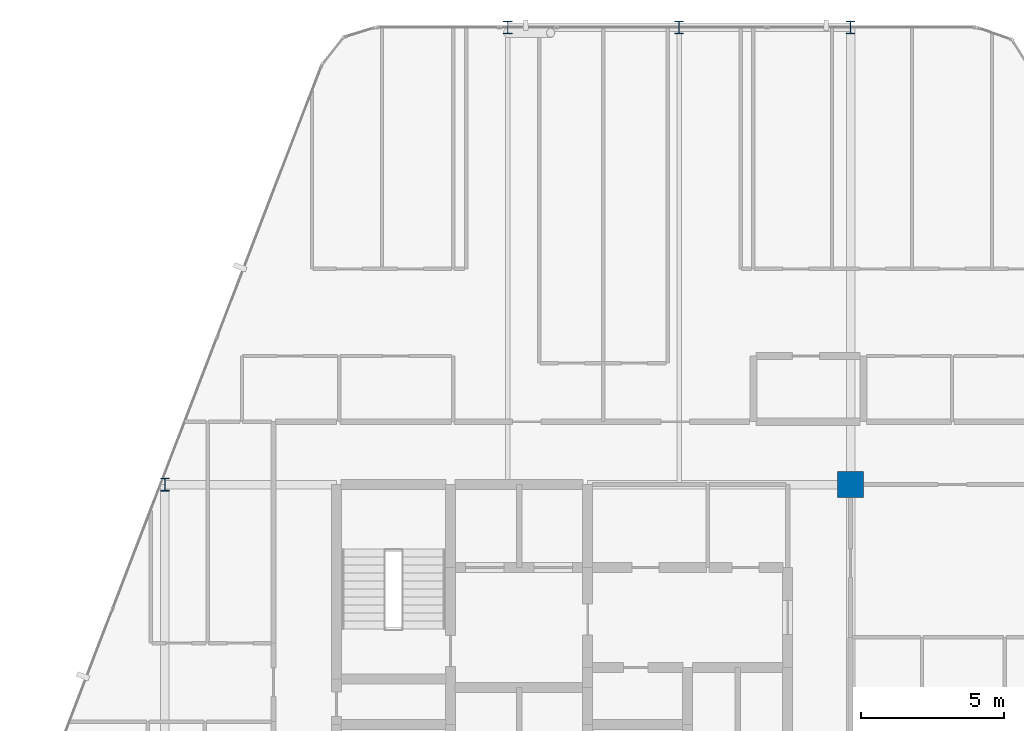
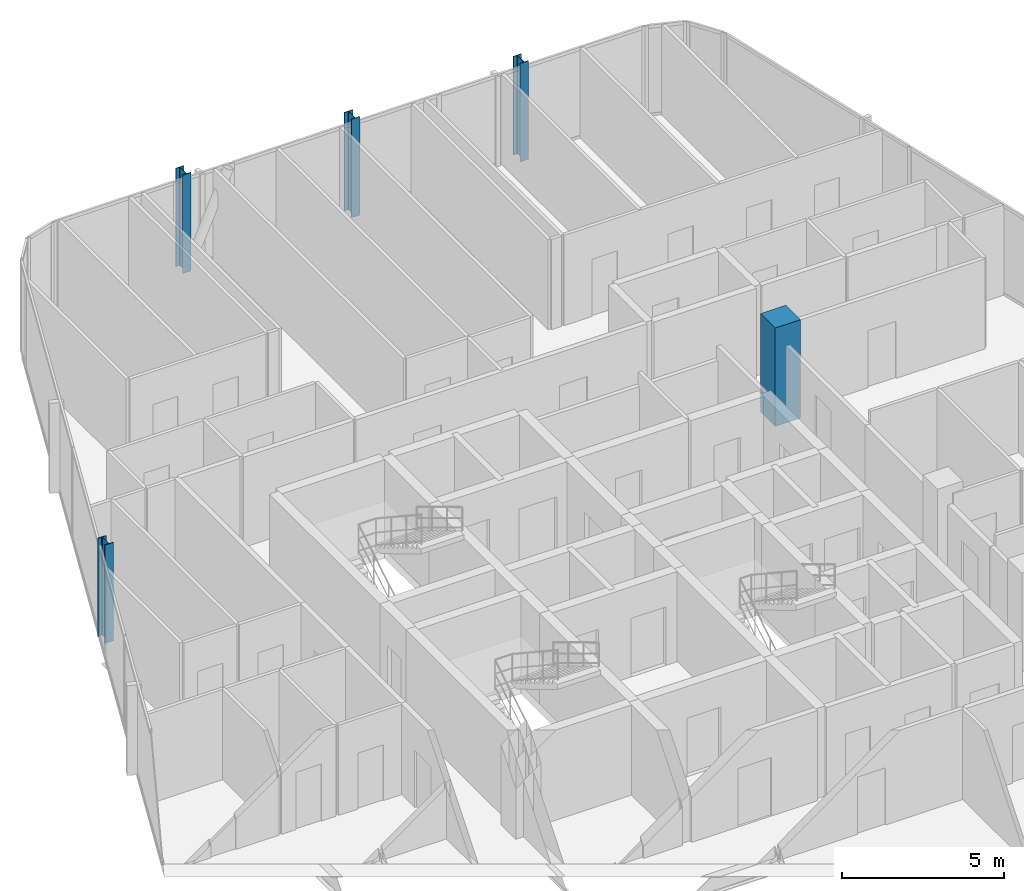
# One storey, part 3 of 29: 5 columns.
"""IFC4 building model written with IfcOpenShell, lengths in metres."""

import ifcopenshell
import ifcopenshell.guid

model = None  # the IFC model being written
_history = None  # IfcOwnerHistory: only IFC2X3 demands one
_inside = {}  # id of a spatial element -> (the spatial element, [elements in it])
_under = {}  # id of a project, library or spatial element -> (it, [spatial elements below it])
_declared = {}  # id of a project -> (the project, [libraries it declares])
_typed = {}  # id of a type object -> (the type object, [elements of that type])
_made_of = {}  # id of a material, layer set ... -> (it, [elements and type objects made of it])


def new_model(schema):
    """Start an empty IFC model of exactly this schema.

    Asked for "IFC4X3", IfcOpenShell would pick the latest addendum, in which some entities
    have other attributes; the version numbers below select the first issue.
    IFC2X3 requires an IfcOwnerHistory on every rooted entity: one is made here for all.
    """
    global model, _history
    if schema == "IFC4X3":
        model = ifcopenshell.file(schema_version=(4, 3, 0, 0))
    else:
        model = ifcopenshell.file(schema=schema)
    _inside.clear()
    _under.clear()
    _declared.clear()
    _typed.clear()
    _made_of.clear()
    _history = None
    if model.schema == "IFC2X3":
        org = make("IfcOrganization", Name="unknown")
        user = make(
            "IfcPersonAndOrganization",
            ThePerson=make("IfcPerson", FamilyName="unknown"),
            TheOrganization=org,
        )
        app = make(
            "IfcApplication",
            ApplicationDeveloper=org,
            Version="unknown",
            ApplicationFullName="unknown",
            ApplicationIdentifier="unknown",
        )
        _history = make(
            "IfcOwnerHistory",
            OwningUser=user,
            OwningApplication=app,
            ChangeAction="ADDED",
            CreationDate=0,
        )
    return model


def make(cls, **values):
    """One entity of the class cls with the attributes given. An attribute that is None is left unset."""
    return model.create_entity(
        cls, **{name: value for name, value in values.items() if value is not None}
    )


def rooted(cls, **values):
    """An entity with a GlobalId (a new one), such as an element, a storey or a relation."""
    return make(cls, GlobalId=ifcopenshell.guid.new(), OwnerHistory=_history, **values)


def si_unit(unit_type, name, prefix=None):
    """IfcSIUnit, for example si_unit("LENGTHUNIT", "METRE", prefix="MILLI")."""
    return make("IfcSIUnit", UnitType=unit_type, Prefix=prefix, Name=name)


def assignment(units):
    """IfcUnitAssignment: the units of a project."""
    return None if units is None else make("IfcUnitAssignment", Units=units)


def point(xyz):
    """IfcCartesianPoint."""
    return None if xyz is None else make("IfcCartesianPoint", Coordinates=xyz)


def direction(xyz):
    """IfcDirection."""
    return None if xyz is None else make("IfcDirection", DirectionRatios=xyz)


def frame(location, z_axis=None, x_axis=None):
    """IfcAxis2Placement3D, a coordinate frame: its origin and axes. An axis left out is left unset."""
    return make(
        "IfcAxis2Placement3D",
        Location=point(location),
        Axis=direction(z_axis),
        RefDirection=direction(x_axis),
    )


def frame_2d(location, x_axis=None):
    """IfcAxis2Placement2D, a coordinate frame in the plane: its origin and x axis."""
    return make(
        "IfcAxis2Placement2D", Location=point(location), RefDirection=direction(x_axis)
    )


def origin():
    """The frame at (0, 0, 0) with its axes left unset."""
    return frame((0.0, 0.0, 0.0))


def origin_2d():
    """The frame at (0, 0) in the plane with its x axis left unset."""
    return frame_2d((0.0, 0.0))


def place(relative_to, where):
    """IfcLocalPlacement: puts the frame where relative to a parent placement (None: the world)."""
    return make(
        "IfcLocalPlacement", PlacementRelTo=relative_to, RelativePlacement=where
    )


def context(
    kind, dimensions, precision=None, world=None, true_north=None, identifier=None
):
    """IfcGeometricRepresentationContext, for example the 3D "Model" context."""
    return make(
        "IfcGeometricRepresentationContext",
        ContextIdentifier=identifier,
        ContextType=kind,
        CoordinateSpaceDimension=dimensions,
        Precision=precision,
        WorldCoordinateSystem=world,
        TrueNorth=true_north,
    )


def subcontext(parent, identifier, kind, view, scale=None):
    """IfcGeometricRepresentationSubContext, for example "Body" below "Model"."""
    return make(
        "IfcGeometricRepresentationSubContext",
        ContextIdentifier=identifier,
        ContextType=kind,
        ParentContext=parent,
        TargetScale=scale,
        TargetView=view,
    )


def project(units=None, contexts=None):
    """IfcProject with its units and contexts."""
    return rooted(
        "IfcProject",
        Name="project",
        RepresentationContexts=contexts,
        UnitsInContext=assignment(units),
    )


def spatial(cls, under=None, at=None, **own):
    """A site, building, storey or space (cls), placed at a placement, below another one or the project."""
    s = rooted(cls, ObjectPlacement=at, **own)
    if under is not None:
        _under.setdefault(under.id(), (under, []))[1].append(s)
    return s


def profile(cls, at=None, kind="AREA", **sizes):
    """A parametric profile (cls). Its sizes go by their IFC names, for example OverallWidth=200.0."""
    return make(cls, ProfileType=kind, Position=at, **sizes)


def rectangle(**sizes):
    """IfcRectangleProfileDef."""
    return profile("IfcRectangleProfileDef", **sizes)


def i_section(**sizes):
    """IfcIShapeProfileDef."""
    return profile("IfcIShapeProfileDef", **sizes)


def extrude(swept, where, along, depth):
    """IfcExtrudedAreaSolid: the profile swept, set in the frame where, extruded along a direction by depth."""
    return make(
        "IfcExtrudedAreaSolid",
        SweptArea=swept,
        Position=where,
        ExtrudedDirection=direction(along),
        Depth=depth,
    )


def shape(context_of_items, identifier, shape_type, items):
    """IfcShapeRepresentation: the items that make up one representation, for example the "Body"."""
    return make(
        "IfcShapeRepresentation",
        ContextOfItems=context_of_items,
        RepresentationIdentifier=identifier,
        RepresentationType=shape_type,
        Items=items,
    )


def material(Name=None, Category=None):
    """IfcMaterial."""
    return make("IfcMaterial", Name=Name, Category=Category)


def material_profile(
    of_material, cross_section, Name=None, Category=None, Priority=None
):
    """IfcMaterialProfile: a cross section and its material."""
    return make(
        "IfcMaterialProfile",
        Name=Name,
        Material=of_material,
        Profile=cross_section,
        Priority=Priority,
        Category=Category,
    )


def profile_set(profiles, Name=None, composite=None):
    """IfcMaterialProfileSet."""
    return make(
        "IfcMaterialProfileSet",
        Name=Name,
        MaterialProfiles=profiles,
        CompositeProfile=composite,
    )


def made_of(thing, what):
    """Note that an element or type object is made of a material, layer set ...; save() writes the relation."""
    if what is not None:
        _made_of.setdefault(what.id(), (what, []))[1].append(thing)
    return thing


def type_object(cls, material=None, **own):
    """A type object (cls), such as IfcWallType, which elements share."""
    return made_of(rooted(cls, **own), material)


def element(
    cls,
    number,
    at=None,
    inside=None,
    cuts=None,
    type_object=None,
    material=None,
    context=None,
    identifier="Body",
    shape_type=None,
    held_by="IfcProductDefinitionShape",
    body=None,
    shapes=None,
    **own,
):
    """One element of the class cls, such as IfcWall. Its Tag is "e" and its number.

    at: its placement. inside: the storey or other place that contains it. cuts: it is an
    opening in that element (IfcRelVoidsElement). A single representation is given by context,
    identifier, shape_type and body (its items); several are given by shapes. held_by: the class
    of the entity that holds the representations. save() writes the other relations.
    """
    e = rooted(cls, Tag="e%d" % number, ObjectPlacement=at, **own)
    if body is not None:
        shapes = [shape(context, identifier, shape_type, body)]
    if shapes is not None:
        e.Representation = make(held_by, Representations=shapes)
    if inside is not None:
        _inside.setdefault(inside.id(), (inside, []))[1].append(e)
    if cuts is not None:
        rooted(
            "IfcRelVoidsElement", RelatingBuildingElement=cuts, RelatedOpeningElement=e
        )
    if type_object is not None:
        _typed.setdefault(type_object.id(), (type_object, []))[1].append(e)
    return made_of(e, material)


def aggregate(whole, parts):
    """IfcRelAggregates: a whole, such as a stair, and the parts it consists of."""
    return rooted("IfcRelAggregates", RelatingObject=whole, RelatedObjects=parts)


def save(model, path):
    """Write the relations noted so far, then the file.

    IfcRelAggregates (storeys below a building ...), IfcRelContainedInSpatialStructure (elements
    in a storey), IfcRelDefinesByType, IfcRelAssociatesMaterial and IfcRelDeclares: one each for
    every whole, place, type object, material and project.
    """
    for whole, parts in _under.values():
        aggregate(whole, parts)
    for where, things in _inside.values():
        rooted(
            "IfcRelContainedInSpatialStructure",
            RelatedElements=things,
            RelatingStructure=where,
        )
    for kind, things in _typed.values():
        rooted("IfcRelDefinesByType", RelatedObjects=things, RelatingType=kind)
    for what, things in _made_of.values():
        rooted("IfcRelAssociatesMaterial", RelatedObjects=things, RelatingMaterial=what)
    for by, libraries in _declared.values():
        rooted("IfcRelDeclares", RelatingContext=by, RelatedDefinitions=libraries)
    model.write(path)


model = new_model("IFC4")

# Units and contexts
model_context = context("Model", 3, precision=1e-05, world=origin(), true_north=direction((0.0, 1.0)))
body_context = subcontext(model_context, "Body", "Model", "MODEL_VIEW")
ifc_project = project(units=[si_unit("LENGTHUNIT", "METRE"), si_unit("AREAUNIT", "SQUARE_METRE"), si_unit("VOLUMEUNIT", "CUBIC_METRE"), si_unit("PLANEANGLEUNIT", "RADIAN"), si_unit("MASSUNIT", "GRAM", prefix="KILO")], contexts=[model_context])

# Site, building, storey
site_placement = place(None, origin())
site = spatial("IfcSite", under=ifc_project, at=site_placement, CompositionType="ELEMENT")
building_placement = place(site_placement, origin())
building = spatial("IfcBuilding", under=site, at=building_placement, Name="Keshet Zoharim Tower", CompositionType="ELEMENT")
storey_placement = place(building_placement, frame((0.0, 0.0, 203.199951171875)))
storey = spatial("IfcBuildingStorey", under=building, at=storey_placement, Name="L50", CompositionType="ELEMENT", Elevation=203.199951171875)

# Columns
ifc_material_1 = material(Name="Steel S355", Category="steel")
ifc_material_profile_1 = material_profile(ifc_material_1, i_section(OverallWidth=0.300048828125, OverallDepth=0.449951171875, WebThickness=0.013916015625, FlangeThickness=0.02587890625, FilletRadius=0.027099609375, at=origin_2d()), Name="HEB450")
ifc_profile_set_1 = profile_set([ifc_material_profile_1], Name="Steel S355")
column_type_1 = type_object("IfcColumnType", Name="COL-HEB450", PredefinedType="COLUMN", material=ifc_profile_set_1)
for number, where, z_axis, x_axis, name in (
    (1, (9.0, 37.89990234375, 0.0), (0.0, 0.0, 1.0), (1.0, 0.0, 0.0), "L50 Column 2H"),
    (2, (21.0, 53.89990234375, 0.0), (0.0, 0.0, 1.0), (1.0, 0.0, 0.0), "L50 Column 4L"),
    (3, (27.0, 53.89990234375, 0.0), (0.0, 0.0, 1.0), (1.0, 0.0, 0.0), "L50 Column 5L"),
    (4, (33.0, 53.89990234375, 0.0), (0.0, 0.0, 1.0), (1.0, 0.0, 0.0), "L50 Column 6L"),
):
    element("IfcColumn", number, at=place(storey_placement, frame(where, z_axis=z_axis, x_axis=x_axis)), inside=storey, type_object=column_type_1, Name=name, PredefinedType="COLUMN", context=body_context, shape_type="SweptSolid", body=[
        extrude(i_section(OverallWidth=0.300048828125, OverallDepth=0.449951171875, WebThickness=0.013916015625, FlangeThickness=0.02587890625, FilletRadius=0.027099609375, at=origin_2d()), origin(), (0.0, 0.0, 1.0), 3.699951171875),
    ])
ifc_material_2 = material(Name="Concrete C60/75", Category="concrete")
ifc_material_profile_2 = material_profile(ifc_material_2, rectangle(XDim=0.89990234375, YDim=0.89990234375, at=origin_2d()), Name="RC900x900")
ifc_profile_set_2 = profile_set([ifc_material_profile_2], Name="Concrete C60/75")
column_type_2 = type_object("IfcColumnType", Name="COL-RC900", PredefinedType="COLUMN", material=ifc_profile_set_2)
column_placement = place(storey_placement, frame((33.0, 37.89990234375, 0.0), z_axis=(0.0, 0.0, 1.0), x_axis=(1.0, 0.0, 0.0)))
element("IfcColumn", 5, at=column_placement, inside=storey, type_object=column_type_2, Name="L50 Column 6H", PredefinedType="COLUMN", context=body_context, shape_type="SweptSolid", body=[
    extrude(rectangle(XDim=0.89990234375, YDim=0.89990234375, at=origin_2d()), origin(), (0.0, 0.0, 1.0), 3.699951171875),
])

save(model, "model.ifc")
